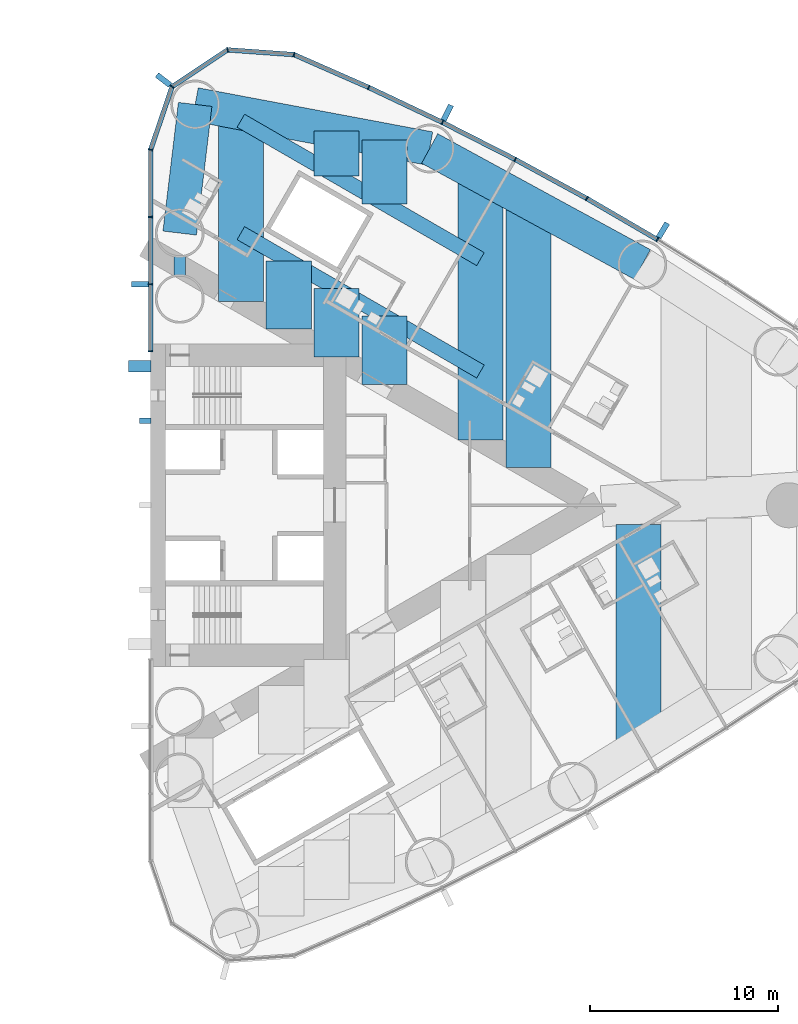
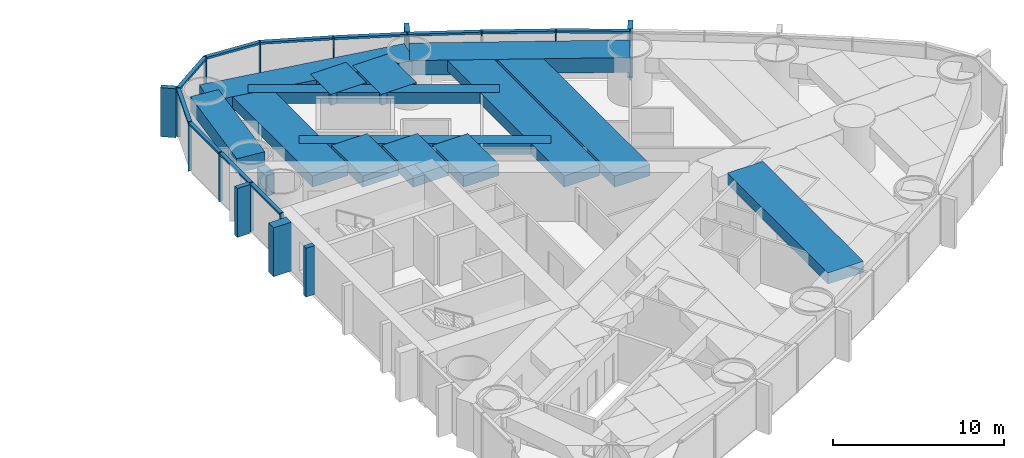
# One storey, part 7 of 18: 29 members, 15 beams, 1 element without a shape of its own.
"""IFC4 building model written with IfcOpenShell, lengths in metres."""

from ifc_helpers import new_model, si_unit, direction, frame, origin, origin_2d, place, context, subcontext, project, spatial, rectangle, hollow_rectangle, extrude, material, material_profile, profile_set, type_object, element, aggregate, save


model = new_model("IFC4")

# Units and contexts
model_context = context("Model", 3, precision=1e-05, world=origin(), true_north=direction((0.0, 1.0)))
body_context = subcontext(model_context, "Body", "Model", "MODEL_VIEW")
ifc_project = project(units=[si_unit("LENGTHUNIT", "METRE"), si_unit("AREAUNIT", "SQUARE_METRE"), si_unit("VOLUMEUNIT", "CUBIC_METRE"), si_unit("PLANEANGLEUNIT", "RADIAN"), si_unit("MASSUNIT", "GRAM", prefix="KILO")], contexts=[model_context])

# Site, building, storey
site_placement = place(None, origin())
site = spatial("IfcSite", under=ifc_project, at=site_placement, CompositionType="ELEMENT")
building_placement = place(site_placement, origin())
building = spatial("IfcBuilding", under=site, at=building_placement, Name="Lancet Gate Hotel", CompositionType="ELEMENT")
storey_placement = place(building_placement, frame((0.0, 0.0, 97.60009765625)))
storey = spatial("IfcBuildingStorey", under=building, at=storey_placement, Name="L25", CompositionType="ELEMENT", Elevation=97.60009765625)

# Curtain wall, members
ifc_material_1 = material(Name="Aluminium curtain wall", Category="aluminium")
curtain_wall_type = type_object("IfcCurtainWallType", Name="Tower unitised curtain wall", PredefinedType="USERDEFINED", material=ifc_material_1)
curtain_wall_placement = place(storey_placement, origin())
curtain_wall = element("IfcCurtainWall", 1, at=curtain_wall_placement, inside=storey, type_object=curtain_wall_type, Name="T2 L25 curtain wall 1", ObjectType="UNITISED CURTAIN WALL", PredefinedType="USERDEFINED")
ifc_material_2 = material(Name="Aluminium mullion", Category="aluminium")
ifc_material_profile_1 = material_profile(ifc_material_2, rectangle(XDim=0.06494140625, YDim=0.25, at=origin_2d()), Name="MULLION 65x250")
ifc_profile_set_1 = profile_set([ifc_material_profile_1], Name="Aluminium mullion")
member_type_1 = type_object("IfcMemberType", Name="Aluminium mullion 65x250", PredefinedType="MULLION", material=ifc_profile_set_1)
member_1_placement = place(storey_placement, frame((54.496337890625, 14.1552734375, 0.0), z_axis=(0.0, 0.0, 1.0), x_axis=(-0.856728030701, 0.515768437781, 0.0)))
member_1 = element("IfcMember", 2, at=member_1_placement, type_object=member_type_1, Name="T2 L25 curtain wall 1 mullion 23", PredefinedType="MULLION", context=body_context, shape_type="SweptSolid", body=[
    extrude(rectangle(XDim=0.06494140625, YDim=0.25, at=origin_2d()), origin(), (0.0, 0.0, 1.0), 3.5),
])
member_2_placement = place(storey_placement, frame((50.740478515625, 16.344482421875, 0.0), z_axis=(0.0, 0.0, 1.0), x_axis=(-0.871028838445, 0.491231882716, 0.0)))
member_2 = element("IfcMember", 3, at=member_2_placement, type_object=member_type_1, Name="T2 L25 curtain wall 1 mullion 24", PredefinedType="MULLION", context=body_context, shape_type="SweptSolid", body=[
    extrude(rectangle(XDim=0.06494140625, YDim=0.25, at=origin_2d()), origin(), (0.0, 0.0, 1.0), 3.5),
])
member_3_placement = place(storey_placement, frame((46.923828125, 18.426025390625, 0.0), z_axis=(0.0, 0.0, 1.0), x_axis=(-0.884627112962, 0.466299121822, 0.0)))
member_3 = element("IfcMember", 4, at=member_3_placement, type_object=member_type_1, Name="T2 L25 curtain wall 1 mullion 25", PredefinedType="MULLION", context=body_context, shape_type="SweptSolid", body=[
    extrude(rectangle(XDim=0.06494140625, YDim=0.25, at=origin_2d()), origin(), (0.0, 0.0, 1.0), 3.5),
])
member_4_placement = place(storey_placement, frame((43.0498046875, 20.398193359375, 0.0), z_axis=(0.0, 0.0, 1.0), x_axis=(-0.897511886496, 0.440990264743, 0.0)))
member_4 = element("IfcMember", 5, at=member_4_placement, type_object=member_type_1, Name="T2 L25 curtain wall 1 mullion 26", PredefinedType="MULLION", context=body_context, shape_type="SweptSolid", body=[
    extrude(rectangle(XDim=0.06494140625, YDim=0.25, at=origin_2d()), origin(), (0.0, 0.0, 1.0), 3.5),
])
member_5_placement = place(storey_placement, frame((39.12109375, 22.259765625, 0.0), z_axis=(0.0, 0.0, 1.0), x_axis=(-0.909672766767, 0.415325724465, 0.0)))
member_5 = element("IfcMember", 6, at=member_5_placement, type_object=member_type_1, Name="T2 L25 curtain wall 1 mullion 27", PredefinedType="MULLION", context=body_context, shape_type="SweptSolid", body=[
    extrude(rectangle(XDim=0.06494140625, YDim=0.25, at=origin_2d()), origin(), (0.0, 0.0, 1.0), 3.5),
])
member_6_placement = place(storey_placement, frame((35.141357421875, 24.009033203125, 0.0), z_axis=(0.0, 0.0, 1.0), x_axis=(-0.966317378791, 0.257353304711, 0.0)))
member_6 = element("IfcMember", 7, at=member_6_placement, type_object=member_type_1, Name="T2 L25 curtain wall 1 mullion 28", PredefinedType="MULLION", context=body_context, shape_type="SweptSolid", body=[
    extrude(rectangle(XDim=0.06494140625, YDim=0.25, at=origin_2d()), origin(), (0.0, 0.0, 1.0), 3.5),
])
member_7_placement = place(storey_placement, frame((31.60205078125, 24.26220703125, 0.0), z_axis=(0.0, 0.0, 1.0), x_axis=(-0.967157174963, -0.254179068604, 0.0)))
member_7 = element("IfcMember", 8, at=member_7_placement, type_object=member_type_1, Name="T2 L25 curtain wall 1 mullion 29", PredefinedType="MULLION", context=body_context, shape_type="SweptSolid", body=[
    extrude(rectangle(XDim=0.06494140625, YDim=0.25, at=origin_2d()), origin(), (0.0, 0.0, 1.0), 3.5),
])
member_8_placement = place(storey_placement, frame((28.64453125, 22.301513671875, 0.0), z_axis=(0.0, 0.0, 1.0), x_axis=(-0.610663954798, -0.79188984986, 0.0)))
member_8 = element("IfcMember", 9, at=member_8_placement, type_object=member_type_1, Name="T2 L25 curtain wall 1 mullion 30", PredefinedType="MULLION", context=body_context, shape_type="SweptSolid", body=[
    extrude(rectangle(XDim=0.06494140625, YDim=0.25, at=origin_2d()), origin(), (0.0, 0.0, 1.0), 3.5),
])
member_9_placement = place(storey_placement, frame((27.5, 18.94287109375, 0.0), z_axis=(0.0, 0.0, 1.0), x_axis=(-0.162738742557, -0.986669195663, 0.0)))
member_9 = element("IfcMember", 10, at=member_9_placement, type_object=member_type_1, Name="T2 L25 curtain wall 1 mullion 31", PredefinedType="MULLION", context=body_context, shape_type="SweptSolid", body=[
    extrude(rectangle(XDim=0.06494140625, YDim=0.25, at=origin_2d()), origin(), (0.0, 0.0, 1.0), 3.5),
])
member_10_placement = place(storey_placement, frame((27.5, 15.362060546875, 0.0), z_axis=(0.0, 0.0, 1.0), x_axis=(0.0, -1.0, 0.0)))
member_10 = element("IfcMember", 11, at=member_10_placement, type_object=member_type_1, Name="T2 L25 curtain wall 1 mullion 32", PredefinedType="MULLION", context=body_context, shape_type="SweptSolid", body=[
    extrude(rectangle(XDim=0.06494140625, YDim=0.25, at=origin_2d()), origin(), (0.0, 0.0, 1.0), 3.5),
])
member_11_placement = place(storey_placement, frame((27.5, 11.781005859375, 0.0), z_axis=(0.0, 0.0, 1.0), x_axis=(0.0, -1.0, 0.0)))
member_11 = element("IfcMember", 12, at=member_11_placement, type_object=member_type_1, Name="T2 L25 curtain wall 1 mullion 33", PredefinedType="MULLION", context=body_context, shape_type="SweptSolid", body=[
    extrude(rectangle(XDim=0.06494140625, YDim=0.25, at=origin_2d()), origin(), (0.0, 0.0, 1.0), 3.5),
])
member_12_placement = place(storey_placement, frame((27.5, 8.199951171875, 0.0), z_axis=(0.0, 0.0, 1.0), x_axis=(0.0, -1.0, 0.0)))
member_12 = element("IfcMember", 13, at=member_12_placement, type_object=member_type_1, Name="T2 L25 curtain wall 1 mullion 34", PredefinedType="MULLION", context=body_context, shape_type="SweptSolid", body=[
    extrude(rectangle(XDim=0.06494140625, YDim=0.25, at=origin_2d()), origin(), (0.0, 0.0, 1.0), 3.5),
])
ifc_material_3 = material(Name="Aluminium transom", Category="aluminium")
ifc_material_profile_2 = material_profile(ifc_material_3, rectangle(XDim=0.25, YDim=0.14990234375, at=origin_2d()), Name="TRANSOM 250x150")
ifc_profile_set_2 = profile_set([ifc_material_profile_2], Name="Aluminium transom")
member_type_2 = type_object("IfcMemberType", Name="Aluminium transom 250x150", PredefinedType="USERDEFINED", material=ifc_profile_set_2)
member_13_placement = place(storey_placement, frame((54.46826171875, 14.171630859375, 3.4248046875), z_axis=(-0.863973212152, 0.503537772847, 0.0), x_axis=(-0.503537772847, -0.863973212152, 0.0)))
member_13 = element("IfcMember", 14, at=member_13_placement, type_object=member_type_2, Name="T2 L25 curtain wall 1 transom 23", ObjectType="TRANSOM", PredefinedType="USERDEFINED", context=body_context, shape_type="SweptSolid", body=[
    extrude(rectangle(XDim=0.25, YDim=0.14990234375, at=origin_2d()), origin(), (0.0, 0.0, 1.0), 4.2822265625),
])
member_14_placement = place(storey_placement, frame((50.7119140625, 16.35986328125, 3.4248046875), z_axis=(-0.877906466435, 0.478832158685, 0.0), x_axis=(-0.478832158685, -0.877906466435, 0.0)))
member_14 = element("IfcMember", 15, at=member_14_placement, type_object=member_type_2, Name="T2 L25 curtain wall 1 transom 24", ObjectType="TRANSOM", PredefinedType="USERDEFINED", context=body_context, shape_type="SweptSolid", body=[
    extrude(rectangle(XDim=0.25, YDim=0.14990234375, at=origin_2d()), origin(), (0.0, 0.0, 1.0), 4.282470703125),
])
member_15_placement = place(storey_placement, frame((46.89501953125, 18.440673828125, 3.4248046875), z_axis=(-0.891165630033, 0.453678101574, 0.0), x_axis=(-0.453678101574, -0.891165630033, 0.0)))
member_15 = element("IfcMember", 16, at=member_15_placement, type_object=member_type_2, Name="T2 L25 curtain wall 1 transom 25", ObjectType="TRANSOM", PredefinedType="USERDEFINED", context=body_context, shape_type="SweptSolid", body=[
    extrude(rectangle(XDim=0.25, YDim=0.14990234375, at=origin_2d()), origin(), (0.0, 0.0, 1.0), 4.282470703125),
])
member_16_placement = place(storey_placement, frame((43.0205078125, 20.412109375, 3.4248046875), z_axis=(-0.903679787814, 0.428208875546, 0.0), x_axis=(-0.428208875546, -0.903679787814, 0.0)))
member_16 = element("IfcMember", 17, at=member_16_placement, type_object=member_type_2, Name="T2 L25 curtain wall 1 transom 26", ObjectType="TRANSOM", PredefinedType="USERDEFINED", context=body_context, shape_type="SweptSolid", body=[
    extrude(rectangle(XDim=0.25, YDim=0.14990234375, at=origin_2d()), origin(), (0.0, 0.0, 1.0), 4.282470703125),
])
member_17_placement = place(storey_placement, frame((39.09130859375, 22.27294921875, 3.4248046875), z_axis=(-0.915484772266, 0.402352621155, 0.0), x_axis=(-0.402352621155, -0.915484772266, 0.0)))
member_17 = element("IfcMember", 18, at=member_17_placement, type_object=member_type_2, Name="T2 L25 curtain wall 1 transom 27", ObjectType="TRANSOM", PredefinedType="USERDEFINED", context=body_context, shape_type="SweptSolid", body=[
    extrude(rectangle(XDim=0.25, YDim=0.14990234375, at=origin_2d()), origin(), (0.0, 0.0, 1.0), 4.281982421875),
])
member_18_placement = place(storey_placement, frame((35.10888671875, 24.01123046875, 3.4248046875), z_axis=(-0.997446232115, 0.071421383636, 0.0), x_axis=(-0.071421383636, -0.997446232115, 0.0)))
member_18 = element("IfcMember", 19, at=member_18_placement, type_object=member_type_2, Name="T2 L25 curtain wall 1 transom 28", ObjectType="TRANSOM", PredefinedType="USERDEFINED", context=body_context, shape_type="SweptSolid", body=[
    extrude(rectangle(XDim=0.25, YDim=0.14990234375, at=origin_2d()), origin(), (0.0, 0.0, 1.0), 3.483154296875),
])
member_19_placement = place(storey_placement, frame((31.574951171875, 24.244384765625, 3.4248046875), z_axis=(-0.833470854141, -0.552563421968, 0.0), x_axis=(0.552563421968, -0.833470854141, 0.0)))
member_19 = element("IfcMember", 20, at=member_19_placement, type_object=member_type_2, Name="T2 L25 curtain wall 1 transom 29", ObjectType="TRANSOM", PredefinedType="USERDEFINED", context=body_context, shape_type="SweptSolid", body=[
    extrude(rectangle(XDim=0.25, YDim=0.14990234375, at=origin_2d()), origin(), (0.0, 0.0, 1.0), 3.4833984375),
])
member_20_placement = place(storey_placement, frame((28.634033203125, 22.270751953125, 3.4248046875), z_axis=(-0.322549769135, -0.946552505903, 0.0), x_axis=(0.946552505903, -0.322549769135, 0.0)))
member_20 = element("IfcMember", 21, at=member_20_placement, type_object=member_type_2, Name="T2 L25 curtain wall 1 transom 30", ObjectType="TRANSOM", PredefinedType="USERDEFINED", context=body_context, shape_type="SweptSolid", body=[
    extrude(rectangle(XDim=0.25, YDim=0.14990234375, at=origin_2d()), origin(), (0.0, 0.0, 1.0), 3.4833984375),
])
member_21_placement = place(storey_placement, frame((27.5, 18.910400390625, 3.4248046875), z_axis=(0.0, -1.0, 0.0), x_axis=(1.0, 0.0, 0.0)))
member_21 = element("IfcMember", 22, at=member_21_placement, type_object=member_type_2, Name="T2 L25 curtain wall 1 transom 31", ObjectType="TRANSOM", PredefinedType="USERDEFINED", context=body_context, shape_type="SweptSolid", body=[
    extrude(rectangle(XDim=0.25, YDim=0.14990234375, at=origin_2d()), origin(), (0.0, 0.0, 1.0), 3.515869140625),
])
member_22_placement = place(storey_placement, frame((27.5, 15.329345703125, 3.4248046875), z_axis=(0.0, -1.0, 0.0), x_axis=(1.0, 0.0, 0.0)))
member_22 = element("IfcMember", 23, at=member_22_placement, type_object=member_type_2, Name="T2 L25 curtain wall 1 transom 32", ObjectType="TRANSOM", PredefinedType="USERDEFINED", context=body_context, shape_type="SweptSolid", body=[
    extrude(rectangle(XDim=0.25, YDim=0.14990234375, at=origin_2d()), origin(), (0.0, 0.0, 1.0), 3.515869140625),
])
member_23_placement = place(storey_placement, frame((27.5, 11.74853515625, 3.4248046875), z_axis=(0.0, -1.0, 0.0), x_axis=(1.0, 0.0, 0.0)))
member_23 = element("IfcMember", 24, at=member_23_placement, type_object=member_type_2, Name="T2 L25 curtain wall 1 transom 33", ObjectType="TRANSOM", PredefinedType="USERDEFINED", context=body_context, shape_type="SweptSolid", body=[
    extrude(rectangle(XDim=0.25, YDim=0.14990234375, at=origin_2d()), origin(), (0.0, 0.0, 1.0), 3.51611328125),
])

# Beams
ifc_material_4 = material(Name="Concrete C50/60", Category="concrete")
ifc_material_profile_3 = material_profile(ifc_material_4, rectangle(XDim=1.800048828125, YDim=1.050048828125, at=origin_2d()), Name="RC 1800x1050")
ifc_profile_set_3 = profile_set([ifc_material_profile_3], Name="Concrete C50/60")
beam_type_1 = type_object("IfcBeamType", Name="Edge beam RC 1800x1050", PredefinedType="SPANDREL", material=ifc_profile_set_3)
beam_1_placement = place(storey_placement, frame((53.697021484375, 12.827392578125, 2.724853515625), z_axis=(-0.87792015078, 0.478807068509, 0.0), x_axis=(-0.478807068509, -0.87792015078, 0.0)))
element("IfcBeam", 25, at=beam_1_placement, inside=storey, type_object=beam_type_1, Name="T2 edge beam EB1 L25", PredefinedType="SPANDREL", context=body_context, shape_type="SweptSolid", body=[
    extrude(rectangle(XDim=1.800048828125, YDim=1.050048828125, at=origin_2d()), origin(), (0.0, 0.0, 1.0), 12.906494140625),
])
beam_2_placement = place(storey_placement, frame((42.3662109375, 19.007080078125, 2.724853515625), z_axis=(-0.982797318081, 0.184687388776, 0.0), x_axis=(-0.184687388776, -0.982797318081, 0.0)))
element("IfcBeam", 26, at=beam_2_placement, inside=storey, type_object=beam_type_1, Name="T2 edge beam EB1 L25", PredefinedType="SPANDREL", context=body_context, shape_type="SweptSolid", body=[
    extrude(rectangle(XDim=1.800048828125, YDim=1.050048828125, at=origin_2d()), origin(), (0.0, 0.0, 1.0), 12.712890625),
])
beam_3_placement = place(storey_placement, frame((29.050048828125, 14.5, 2.724853515625), z_axis=(0.119062951196, 0.99288670736, 0.0), x_axis=(-0.99288670736, 0.119062951196, 0.0)))
element("IfcBeam", 27, at=beam_3_placement, inside=storey, type_object=beam_type_1, Name="T2 edge beam EB1 L25", PredefinedType="SPANDREL", context=body_context, shape_type="SweptSolid", body=[
    extrude(rectangle(XDim=1.800048828125, YDim=1.050048828125, at=origin_2d()), origin(), (0.0, 0.0, 1.0), 6.904052734375),
])

# Member
ifc_material_5 = material(Name="Concrete C60/75", Category="concrete")
ifc_material_profile_4 = material_profile(ifc_material_5, rectangle(XDim=0.60009765625, YDim=1.199951171875, at=origin_2d()), Name="FIN 600x1200")
ifc_profile_set_4 = profile_set([ifc_material_profile_4], Name="Concrete C60/75")
member_type_3 = type_object("IfcMemberType", Name="Exposed concrete buttress pilaster 600x1200", PredefinedType="USERDEFINED", material=ifc_profile_set_4)
member_24_placement = place(storey_placement, frame((26.909912109375, 7.39990234375, 0.0), z_axis=(0.0, 0.0, 1.0), x_axis=(0.0, 1.0, 0.0)))
element("IfcMember", 28, at=member_24_placement, inside=storey, type_object=member_type_3, Name="T2 buttress pilaster N L25", ObjectType="FIN", PredefinedType="USERDEFINED", context=body_context, shape_type="SweptSolid", body=[
    extrude(rectangle(XDim=0.60009765625, YDim=1.199951171875, at=origin_2d()), origin(), (0.0, 0.0, 1.0), 3.5),
])

ifc_material_6 = material(Name="Precast concrete C50/60", Category="concrete")
ifc_material_profile_5 = material_profile(ifc_material_6, rectangle(XDim=0.300048828125, YDim=0.89990234375, at=origin_2d()), Name="FIN 300x900")
ifc_profile_set_5 = profile_set([ifc_material_profile_5], Name="Precast concrete C50/60")
member_type_4 = type_object("IfcMemberType", Name="Exposed concrete fin 300x900", PredefinedType="USERDEFINED", material=ifc_profile_set_5)
member_25_placement = place(storey_placement, frame((54.79296875, 14.64794921875, 0.0), z_axis=(0.0, 0.0, 1.0), x_axis=(-0.856728030701, 0.515768437781, 0.0)))
member_25 = element("IfcMember", 29, at=member_25_placement, type_object=member_type_4, Name="T2 L25 curtain wall 1 fin 23", ObjectType="FIN", PredefinedType="USERDEFINED", context=body_context, shape_type="SweptSolid", body=[
    extrude(rectangle(XDim=0.300048828125, YDim=0.89990234375, at=origin_2d()), origin(), (0.0, 0.0, 1.0), 3.5),
])

member_26_placement = place(storey_placement, frame((43.30322265625, 20.914306640625, 0.0), z_axis=(0.0, 0.0, 1.0), x_axis=(-0.897511886496, 0.440990264743, 0.0)))
member_26 = element("IfcMember", 30, at=member_26_placement, type_object=member_type_4, Name="T2 L25 curtain wall 1 fin 26", ObjectType="FIN", PredefinedType="USERDEFINED", context=body_context, shape_type="SweptSolid", body=[
    extrude(rectangle(XDim=0.300048828125, YDim=0.89990234375, at=origin_2d()), origin(), (0.0, 0.0, 1.0), 3.5),
])

member_27_placement = place(storey_placement, frame((28.189208984375, 22.65283203125, 0.0), z_axis=(0.0, 0.0, 1.0), x_axis=(-0.610663954798, -0.79188984986, 0.0)))
member_27 = element("IfcMember", 31, at=member_27_placement, type_object=member_type_4, Name="T2 L25 curtain wall 1 fin 30", ObjectType="FIN", PredefinedType="USERDEFINED", context=body_context, shape_type="SweptSolid", body=[
    extrude(rectangle(XDim=0.300048828125, YDim=0.89990234375, at=origin_2d()), origin(), (0.0, 0.0, 1.0), 3.5),
])

member_28_placement = place(storey_placement, frame((26.925048828125, 11.781005859375, 0.0), z_axis=(0.0, 0.0, 1.0), x_axis=(0.0, -1.0, 0.0)))
member_28 = element("IfcMember", 32, at=member_28_placement, type_object=member_type_4, Name="T2 L25 curtain wall 1 fin 33", ObjectType="FIN", PredefinedType="USERDEFINED", context=body_context, shape_type="SweptSolid", body=[
    extrude(rectangle(XDim=0.300048828125, YDim=0.89990234375, at=origin_2d()), origin(), (0.0, 0.0, 1.0), 3.5),
])

aggregate(curtain_wall, [member_1, member_25, member_2, member_3, member_4, member_26, member_5, member_6, member_7, member_8, member_27, member_9, member_10, member_11, member_28, member_12, member_13, member_14, member_15, member_16, member_17, member_18, member_19, member_20, member_21, member_22, member_23])

ifc_material_7 = material(Name="Concrete C60/75", Category="concrete")
ifc_material_profile_6 = material_profile(ifc_material_7, rectangle(XDim=0.300048828125, YDim=0.60009765625, at=origin_2d()), Name="FIN 300x600")
ifc_profile_set_6 = profile_set([ifc_material_profile_6], Name="Concrete C60/75")
member_type_5 = type_object("IfcMemberType", Name="Exposed concrete rib 300x600", PredefinedType="USERDEFINED", material=ifc_profile_set_6)
member_29_placement = place(storey_placement, frame((27.2099609375, 4.5, 0.0), z_axis=(0.0, 0.0, 1.0), x_axis=(0.0, 1.0, 0.0)))
element("IfcMember", 33, at=member_29_placement, inside=storey, type_object=member_type_5, Name="T2 core rib 3 L25", ObjectType="FIN", PredefinedType="USERDEFINED", context=body_context, shape_type="SweptSolid", body=[
    extrude(rectangle(XDim=0.300048828125, YDim=0.60009765625, at=origin_2d()), origin(), (0.0, 0.0, 1.0), 3.5),
])

# Beams
ifc_material_8 = material(Name="Concrete C50/60", Category="concrete")
ifc_material_profile_7 = material_profile(ifc_material_8, rectangle(XDim=2.39990234375, YDim=0.800048828125, at=origin_2d()), Name="RC 2400x800")
ifc_profile_set_7 = profile_set([ifc_material_profile_7], Name="Concrete C50/60")
beam_type_2 = type_object("IfcBeamType", Name="Floor beam RC 2400x800", PredefinedType="BEAM", material=ifc_profile_set_7)
beam_4_placement = place(storey_placement, frame((32.306396484375, 10.851806640625, 2.849853515625), z_axis=(0.0, 1.0, 0.0), x_axis=(-1.0, 0.0, 0.0)))
element("IfcBeam", 34, at=beam_4_placement, inside=storey, type_object=beam_type_2, Name="T2 floor beam F02N L25", PredefinedType="BEAM", context=body_context, shape_type="SweptSolid", body=[
    extrude(rectangle(XDim=2.39990234375, YDim=0.800048828125, at=origin_2d()), origin(), (0.0, 0.0, 1.0), 10.0458984375),
])
beam_5_placement = place(storey_placement, frame((45.072265625, 3.4814453125, 2.849853515625), z_axis=(0.0, 1.0, 0.0), x_axis=(-1.0, 0.0, 0.0)))
element("IfcBeam", 35, at=beam_5_placement, inside=storey, type_object=beam_type_2, Name="T2 floor beam F10N L25", PredefinedType="BEAM", context=body_context, shape_type="SweptSolid", body=[
    extrude(rectangle(XDim=2.39990234375, YDim=0.800048828125, at=origin_2d()), origin(), (0.0, 0.0, 1.0), 14.0498046875),
])
beam_6_placement = place(storey_placement, frame((47.62548828125, 2.00732421875, 2.849853515625), z_axis=(0.0, 1.0, 0.0), x_axis=(-1.0, 0.0, 0.0)))
element("IfcBeam", 36, at=beam_6_placement, inside=storey, type_object=beam_type_2, Name="T2 floor beam F12N L25", PredefinedType="BEAM", context=body_context, shape_type="SweptSolid", body=[
    extrude(rectangle(XDim=2.39990234375, YDim=0.800048828125, at=origin_2d()), origin(), (0.0, 0.0, 1.0), 14.13134765625),
])
beam_7_placement = place(storey_placement, frame((53.502197265625, -12.804443359375, 2.849853515625), z_axis=(0.0, 1.0, 0.0), x_axis=(-1.0, 0.0, 0.0)))
element("IfcBeam", 37, at=beam_7_placement, inside=storey, type_object=beam_type_2, Name="T2 floor beam F13S L25", PredefinedType="BEAM", context=body_context, shape_type="SweptSolid", body=[
    extrude(rectangle(XDim=2.39990234375, YDim=0.800048828125, at=origin_2d()), origin(), (0.0, 0.0, 1.0), 11.78564453125),
])
beam_8_placement = place(storey_placement, frame((34.859619140625, 9.377685546875, 2.849853515625), z_axis=(0.0, 1.0, 0.0), x_axis=(-1.0, 0.0, 0.0)))
element("IfcBeam", 38, at=beam_8_placement, inside=storey, type_object=beam_type_2, Name="T2 floor beam F04NA L25", PredefinedType="BEAM", context=body_context, shape_type="SweptSolid", body=[
    extrude(rectangle(XDim=2.39990234375, YDim=0.800048828125, at=origin_2d()), origin(), (0.0, 0.0, 1.0), 3.645751953125),
])
beam_9_placement = place(storey_placement, frame((37.412841796875, 7.903564453125, 2.849853515625), z_axis=(0.0, 1.0, 0.0), x_axis=(-1.0, 0.0, 0.0)))
element("IfcBeam", 39, at=beam_9_placement, inside=storey, type_object=beam_type_2, Name="T2 floor beam F06NA L25", PredefinedType="BEAM", context=body_context, shape_type="SweptSolid", body=[
    extrude(rectangle(XDim=2.39990234375, YDim=0.800048828125, at=origin_2d()), origin(), (0.0, 0.0, 1.0), 3.6455078125),
])
beam_10_placement = place(storey_placement, frame((37.412841796875, 17.537109375, 2.849853515625), z_axis=(0.0, 1.0, 0.0), x_axis=(-1.0, 0.0, 0.0)))
element("IfcBeam", 40, at=beam_10_placement, inside=storey, type_object=beam_type_2, Name="T2 floor beam F06NB L25", PredefinedType="BEAM", context=body_context, shape_type="SweptSolid", body=[
    extrude(rectangle(XDim=2.39990234375, YDim=0.800048828125, at=origin_2d()), origin(), (0.0, 0.0, 1.0), 2.40087890625),
])
beam_11_placement = place(storey_placement, frame((39.9658203125, 6.429443359375, 2.849853515625), z_axis=(0.0, 1.0, 0.0), x_axis=(-1.0, 0.0, 0.0)))
element("IfcBeam", 41, at=beam_11_placement, inside=storey, type_object=beam_type_2, Name="T2 floor beam F08NA L25", PredefinedType="BEAM", context=body_context, shape_type="SweptSolid", body=[
    extrude(rectangle(XDim=2.39990234375, YDim=0.800048828125, at=origin_2d()), origin(), (0.0, 0.0, 1.0), 3.64501953125),
])
beam_12_placement = place(storey_placement, frame((39.9658203125, 16.062744140625, 2.849853515625), z_axis=(0.0, 1.0, 0.0), x_axis=(-1.0, 0.0, 0.0)))
element("IfcBeam", 42, at=beam_12_placement, inside=storey, type_object=beam_type_2, Name="T2 floor beam F08NB L25", PredefinedType="BEAM", context=body_context, shape_type="SweptSolid", body=[
    extrude(rectangle(XDim=2.39990234375, YDim=0.800048828125, at=origin_2d()), origin(), (0.0, 0.0, 1.0), 3.3955078125),
])
ifc_material_9 = material(Name="Steel S460QL", Category="steel")
ifc_material_profile_8 = material_profile(ifc_material_9, hollow_rectangle(XDim=0.60009765625, YDim=1.5, WallThickness=0.050048828125, at=origin_2d()), Name="BOX 1500x600x50")
ifc_profile_set_8 = profile_set([ifc_material_profile_8], Name="Steel S460QL")
beam_type_3 = type_object("IfcBeamType", Name="Inner-face link beam BOX 1500x600x50", PredefinedType="BEAM", material=ifc_profile_set_8)
beam_13_placement = place(storey_placement, frame((29.050048828125, 12.25, 2.5), z_axis=(0.0, 1.0, 0.0), x_axis=(-1.0, 0.0, 0.0)))
element("IfcBeam", 43, at=beam_13_placement, inside=storey, type_object=beam_type_3, Name="T2 inner-face link beam LK1 L25", PredefinedType="BEAM", context=body_context, shape_type="SweptSolid", body=[
    extrude(hollow_rectangle(XDim=0.60009765625, YDim=1.5, WallThickness=0.050048828125, at=origin_2d()), origin(), (0.0, 0.0, 1.0), 1.0),
])
ifc_material_10 = material(Name="Steel S460QL", Category="steel")
ifc_material_profile_9 = material_profile(ifc_material_10, hollow_rectangle(XDim=0.800048828125, YDim=0.800048828125, WallThickness=0.080078125, at=origin_2d()), Name="BOX 800x800x80")
ifc_profile_set_9 = profile_set([ifc_material_profile_9], Name="Steel S460QL")
beam_type_4 = type_object("IfcBeamType", Name="Trimmer beam BOX 800x800x80", PredefinedType="BEAM", material=ifc_profile_set_9)
beam_14_placement = place(storey_placement, frame((32.306396484375, 20.48583984375, 2.849853515625), z_axis=(0.86598286195, -0.500073677381, 0.0), x_axis=(0.500073677381, 0.86598286195, 0.0)))
element("IfcBeam", 44, at=beam_14_placement, inside=storey, type_object=beam_type_4, Name="T2 trimmer beam TR03N L25", PredefinedType="BEAM", context=body_context, shape_type="SweptSolid", body=[
    extrude(hollow_rectangle(XDim=0.800048828125, YDim=0.800048828125, WallThickness=0.080078125, at=origin_2d()), origin(), (0.0, 0.0, 1.0), 14.741455078125),
])
beam_15_placement = place(storey_placement, frame((32.306396484375, 14.497802734375, 2.849853515625), z_axis=(0.865975689888, -0.500086097111, 0.0), x_axis=(0.500086097111, 0.865975689888, 0.0)))
element("IfcBeam", 45, at=beam_15_placement, inside=storey, type_object=beam_type_4, Name="T2 trimmer beam TR04N L25", PredefinedType="BEAM", context=body_context, shape_type="SweptSolid", body=[
    extrude(hollow_rectangle(XDim=0.800048828125, YDim=0.800048828125, WallThickness=0.080078125, at=origin_2d()), origin(), (0.0, 0.0, 1.0), 14.74169921875),
])

save(model, "model.ifc")
